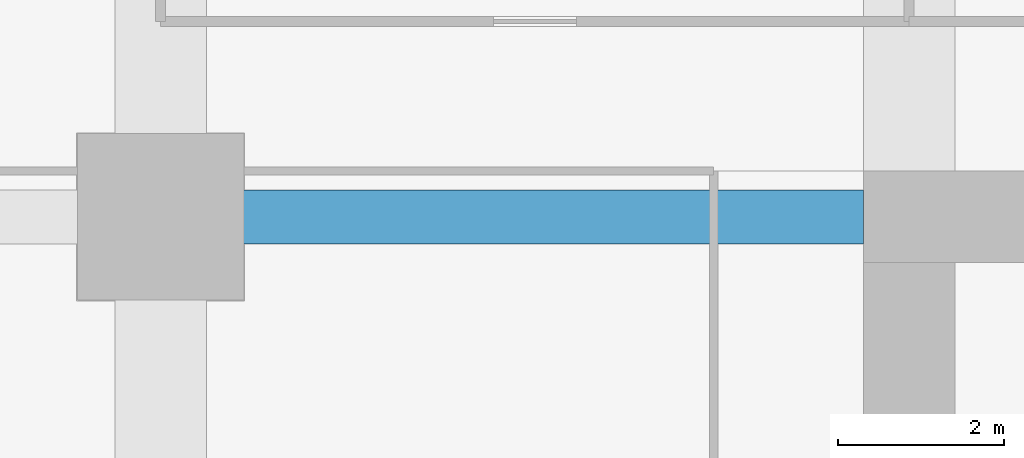
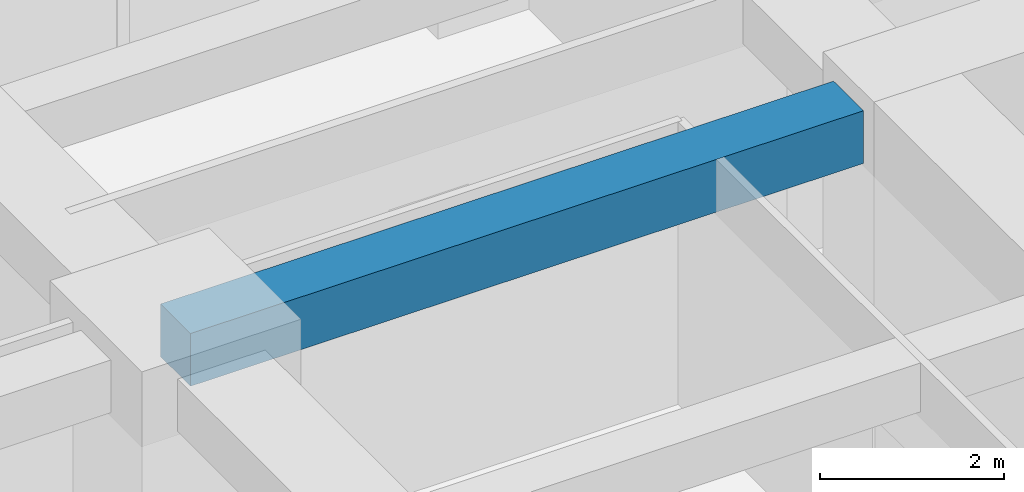
# One storey, part 25 of 41: 1 beam.
"""IFC4 building model written with IfcOpenShell, lengths in metres."""

from ifc_helpers import new_model, si_unit, direction, frame, origin, origin_2d, place, context, subcontext, project, spatial, rectangle, extrude, material, material_profile, profile_set, type_object, element, save


model = new_model("IFC4")

# Units and contexts
model_context = context("Model", 3, precision=1e-05, world=origin(), true_north=direction((0.0, 1.0)))
body_context = subcontext(model_context, "Body", "Model", "MODEL_VIEW")
ifc_project = project(units=[si_unit("LENGTHUNIT", "METRE"), si_unit("AREAUNIT", "SQUARE_METRE"), si_unit("VOLUMEUNIT", "CUBIC_METRE"), si_unit("PLANEANGLEUNIT", "RADIAN"), si_unit("MASSUNIT", "GRAM", prefix="KILO")], contexts=[model_context])

# Site, building, storey
site_placement = place(None, origin())
site = spatial("IfcSite", under=ifc_project, at=site_placement, CompositionType="ELEMENT")
building_placement = place(site_placement, origin())
building = spatial("IfcBuilding", under=site, at=building_placement, Name="Zorevar Civic Tower", CompositionType="ELEMENT")
storey_placement = place(building_placement, frame((0.0, 0.0, 97.0)))
storey = spatial("IfcBuildingStorey", under=building, at=storey_placement, Name="L23", CompositionType="ELEMENT", Elevation=97.0)

# Beam
ifc_material = material(Name="Concrete C50/60", Category="concrete")
ifc_material_profile = material_profile(ifc_material, rectangle(XDim=0.64990234375, YDim=0.699951171875, at=origin_2d()), Name="RC 650x700")
ifc_profile_set = profile_set([ifc_material_profile], Name="Concrete C50/60")
beam_type = type_object("IfcBeamType", Name="Beam RC 650x700", PredefinedType="BEAM", material=ifc_profile_set)
beam_placement = place(storey_placement, frame((9.0, 36.0, 3.39990234375), z_axis=(1.0, 0.0, 0.0), x_axis=(0.0, 1.0, 0.0)))
element("IfcBeam", 1, at=beam_placement, inside=storey, type_object=beam_type, Name="Girder L24", PredefinedType="BEAM", context=body_context, shape_type="SweptSolid", body=[
    extrude(rectangle(XDim=0.64990234375, YDim=0.699951171875, at=origin_2d()), origin(), (0.0, 0.0, 1.0), 8.449951171875),
])

save(model, "model.ifc")
